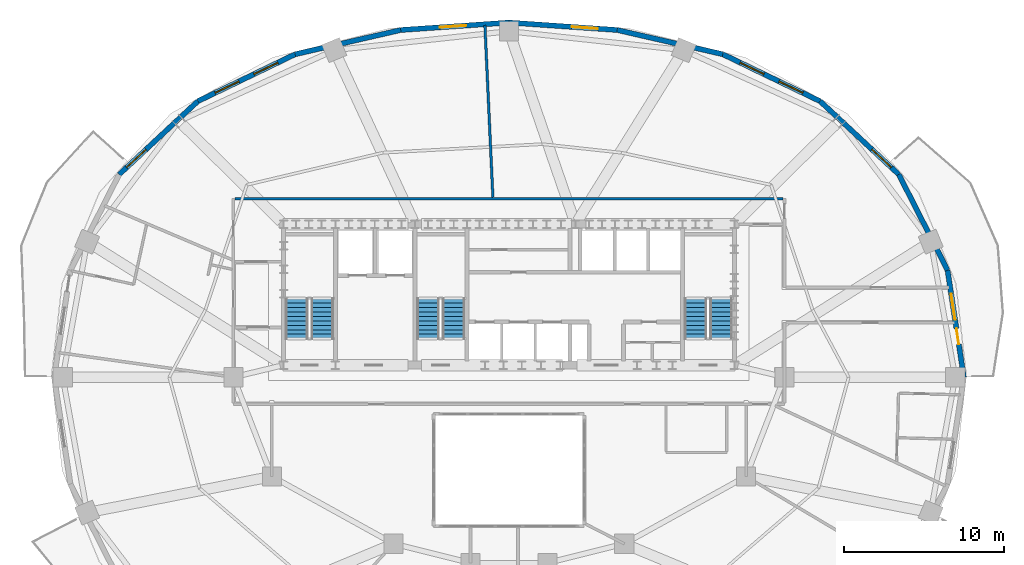
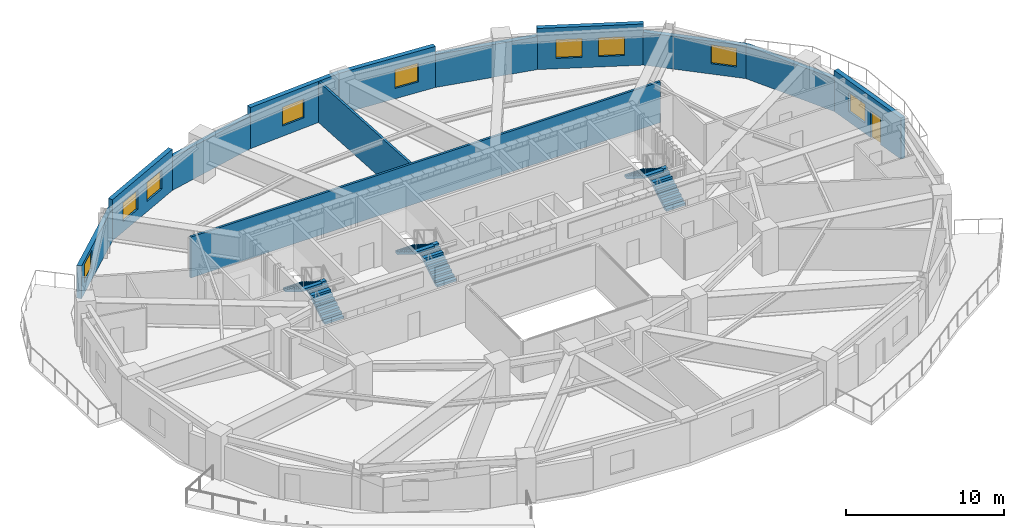
# One storey, part 9 of 13: 12 walls, 9 windows, 6 stair flights, 1 door, 10 openings, 3 elements without a shape of their own.
"""IFC4 building model written with IfcOpenShell, lengths in metres."""

from ifc_helpers import new_model, si_unit, direction, frame, frame_2d, origin, place, context, subcontext, project, spatial, polyline, rectangle, outline, extrude, material, layer, layer_set, type_object, element, fill, aggregate, save


model = new_model("IFC4")

# Units and contexts
model_context = context("Model", 3, precision=1e-05, world=origin(), true_north=direction((0.0, 1.0)))
body_context = subcontext(model_context, "Body", "Model", "MODEL_VIEW")
ifc_project = project(units=[si_unit("LENGTHUNIT", "METRE"), si_unit("AREAUNIT", "SQUARE_METRE"), si_unit("VOLUMEUNIT", "CUBIC_METRE"), si_unit("PLANEANGLEUNIT", "RADIAN"), si_unit("MASSUNIT", "GRAM", prefix="KILO")], contexts=[model_context])

# Site, building, storey
site_placement = place(None, origin())
site = spatial("IfcSite", under=ifc_project, at=site_placement, CompositionType="ELEMENT")
building_placement = place(site_placement, origin())
building = spatial("IfcBuilding", under=site, at=building_placement, Name="Haldorwick Loom Tower", CompositionType="ELEMENT")
storey_placement = place(building_placement, frame((0.0, 0.0, 127.699951171875)))
storey = spatial("IfcBuildingStorey", under=building, at=storey_placement, Name="L34", CompositionType="ELEMENT", Elevation=127.699951171875)

# Wall, openings, door, window
ifc_material_1 = material(Name="Pressed Clay Face Brick and Insulated Masonry Backup Assembly", Category="masonry")
ifc_layer_1 = layer(ifc_material_1, 0.320068359375, Name="Pressed Clay Face Brick and Insulated Masonry Backup Assembly", Category="masonry")
ifc_layer_set_1 = layer_set([ifc_layer_1], Name="Pressed Clay Face Brick and Insulated Masonry Backup Assembly")
wall_type_1 = type_object("IfcWallType", Name="ARC-WL-EXT320", PredefinedType="STANDARD", material=ifc_layer_set_1)
wall_1_placement = place(storey_placement, frame((64.397705078125, 26.0, 0.0), z_axis=(0.0, 0.0, 1.0), x_axis=(-0.150633288003, 0.988589708901, 0.0)))
wall_1 = element("IfcWall", 1, at=wall_1_placement, inside=storey, type_object=wall_type_1, Name="L34 Brick Pier and Spandrel Wall 1", PredefinedType="STANDARD", context=body_context, shape_type="SweptSolid", body=[
    extrude(rectangle(XDim=6.752197265625, YDim=0.320068359375, at=frame_2d((3.3759765625, 0.0))), origin(), (0.0, 0.0, 1.0), 3.170166015625),
])
opening_1_placement = place(wall_1_placement, frame((2.070556640625, 0.0, 0.0)))
opening_1 = element("IfcOpeningElement", 2, at=opening_1_placement, cuts=wall_1, Name="Opening D-BL10", PredefinedType="OPENING", context=body_context, shape_type="SweptSolid", body=[
    extrude(rectangle(XDim=1.0, YDim=2.0400390625, at=frame_2d((0.5, 1.02001953125))), frame((0.0, 0.169921875, 0.0), z_axis=(0.0, -1.0, 0.0), x_axis=(1.0, 0.0, 0.0)), (0.0, 0.0, 1.0), 0.340087890625),
])
opening_2_placement = place(wall_1_placement, frame((3.626708984375, 0.0, 0.800048828125)))
opening_2 = element("IfcOpeningElement", 3, at=opening_2_placement, cuts=wall_1, Name="Opening W-01B", PredefinedType="OPENING", context=body_context, shape_type="SweptSolid", body=[
    extrude(rectangle(XDim=1.64990234375, YDim=1.449951171875, at=frame_2d((0.824951171875, 0.72509765625))), frame((0.0, 0.169921875, 0.0), z_axis=(0.0, -1.0, 0.0), x_axis=(1.0, 0.0, 0.0)), (0.0, 0.0, 1.0), 0.340087890625),
])
ifc_material_2 = material(Name="Thermally Broken Anodized Aluminium Curtain Wall Framing", Category="aluminium")
door_type = type_object("IfcDoorType", Name="ARC-DR-BAL100", OperationType="NOTDEFINED", PredefinedType="DOOR", material=ifc_material_2)
door_placement = place(opening_1_placement, origin())
door = element("IfcDoor", 4, at=door_placement, inside=storey, type_object=door_type, Name="L34 Outdoor Terrace Door SLB-L34-BAL_ENE", OperationType="SINGLE_SWING_RIGHT", OverallHeight=2.0400390625, OverallWidth=1.0, PredefinedType="DOOR", context=body_context, shape_type="SweptSolid", body=[
    extrude(rectangle(XDim=1.0, YDim=2.0400390625, at=frame_2d((0.5, 1.02001953125))), frame((0.0, 0.02490234375, 0.0), z_axis=(0.0, -1.0, 0.0), x_axis=(1.0, 0.0, 0.0)), (0.0, 0.0, 1.0), 0.050048828125),
])
fill(opening_1, door)
ifc_material_3 = material(Name="Triple-Glazed Low-E Argon Insulated Glazing Unit", Category="glass")
window_type = type_object("IfcWindowType", Name="ARC-WIN-W165", PartitioningType="SINGLE_PANEL", PredefinedType="WINDOW", material=ifc_material_3)
window_1_placement = place(opening_2_placement, origin())
window_1 = element("IfcWindow", 5, at=window_1_placement, inside=storey, type_object=window_type, Name="L34 Deep-Set Zone 7A Window 1", OverallHeight=1.449951171875, OverallWidth=1.64990234375, PartitioningType="SINGLE_PANEL", PredefinedType="WINDOW", context=body_context, shape_type="SweptSolid", body=[
    extrude(rectangle(XDim=1.64990234375, YDim=1.449951171875, at=frame_2d((0.824951171875, 0.72509765625))), frame((0.0, 0.030029296875, 0.0), z_axis=(0.0, -1.0, 0.0), x_axis=(1.0, 0.0, 0.0)), (0.0, 0.0, 1.0), 0.06005859375),
])
fill(opening_2, window_1)

# Wall
wall_2_placement = place(storey_placement, frame((63.380615234375, 32.675048828125, 0.0), z_axis=(0.0, 0.0, 1.0), x_axis=(-0.453374078001, 0.89132033826, 0.0)))
element("IfcWall", 6, at=wall_2_placement, inside=storey, type_object=wall_type_1, Name="L34 Brick Pier and Spandrel Wall 2", PredefinedType="STANDARD", context=body_context, shape_type="SweptSolid", body=[
    extrude(rectangle(XDim=6.709716796875, YDim=0.320068359375, at=frame_2d((3.35498046875, 0.0))), origin(), (0.0, 0.0, 1.0), 2.529052734375),
])

# Wall, opening, window
wall_3_placement = place(storey_placement, frame((60.338623046875, 38.655517578125, 0.0), z_axis=(0.0, 0.0, 1.0), x_axis=(-0.732137360086, 0.681157020052, 0.0)))
wall_3 = element("IfcWall", 7, at=wall_3_placement, inside=storey, type_object=wall_type_1, Name="L34 Brick Pier and Spandrel Wall 3", PredefinedType="STANDARD", context=body_context, shape_type="SweptSolid", body=[
    extrude(rectangle(XDim=6.709228515625, YDim=0.320068359375, at=frame_2d((3.3544921875, 0.0))), origin(), (0.0, 0.0, 1.0), 2.529052734375),
])
opening_3_placement = place(wall_3_placement, frame((0.639892578125, 0.0, 0.800048828125)))
opening_3 = element("IfcOpeningElement", 8, at=opening_3_placement, cuts=wall_3, Name="Opening W-01B", PredefinedType="OPENING", context=body_context, shape_type="SweptSolid", body=[
    extrude(rectangle(XDim=1.64990234375, YDim=1.449951171875, at=frame_2d((0.824951171875, 0.72509765625))), frame((0.0, 0.169921875, 0.0), z_axis=(0.0, -1.0, 0.0), x_axis=(1.0, 0.0, 0.0)), (0.0, 0.0, 1.0), 0.340087890625),
])
window_2_placement = place(opening_3_placement, origin())
window_2 = element("IfcWindow", 9, at=window_2_placement, inside=storey, type_object=window_type, Name="L34 Deep-Set Zone 7A Window 3", OverallHeight=1.449951171875, OverallWidth=1.64990234375, PartitioningType="SINGLE_PANEL", PredefinedType="WINDOW", context=body_context, shape_type="SweptSolid", body=[
    extrude(rectangle(XDim=1.64990234375, YDim=1.449951171875, at=frame_2d((0.824951171875, 0.72509765625))), frame((0.0, 0.030029296875, 0.0), z_axis=(0.0, -1.0, 0.0), x_axis=(1.0, 0.0, 0.0)), (0.0, 0.0, 1.0), 0.06005859375),
])
fill(opening_3, window_2)

# Wall, openings, windows
wall_4_placement = place(storey_placement, frame((55.426513671875, 43.2255859375, 0.0), z_axis=(0.0, 0.0, 1.0), x_axis=(-0.900510094661, 0.434835106004, 0.0)))
wall_4 = element("IfcWall", 10, at=wall_4_placement, inside=storey, type_object=wall_type_1, Name="L34 Brick Pier and Spandrel Wall 4", PredefinedType="STANDARD", context=body_context, shape_type="SweptSolid", body=[
    extrude(rectangle(XDim=6.744873046875, YDim=0.320068359375, at=frame_2d((3.37255859375, 0.0))), origin(), (0.0, 0.0, 1.0), 3.170166015625),
])
opening_4_placement = place(wall_4_placement, frame((1.198486328125, 0.0, 0.800048828125)))
opening_4 = element("IfcOpeningElement", 11, at=opening_4_placement, cuts=wall_4, Name="Opening W-01B", PredefinedType="OPENING", context=body_context, shape_type="SweptSolid", body=[
    extrude(rectangle(XDim=1.64990234375, YDim=1.449951171875, at=frame_2d((0.824951171875, 0.72509765625))), frame((0.0, 0.169921875, 0.0), z_axis=(0.0, -1.0, 0.0), x_axis=(1.0, 0.0, 0.0)), (0.0, 0.0, 1.0), 0.340087890625),
])
opening_5_placement = place(wall_4_placement, frame((3.896484375, 0.0, 0.800048828125)))
opening_5 = element("IfcOpeningElement", 12, at=opening_5_placement, cuts=wall_4, Name="Opening W-01B", PredefinedType="OPENING", context=body_context, shape_type="SweptSolid", body=[
    extrude(rectangle(XDim=1.64990234375, YDim=1.449951171875, at=frame_2d((0.824951171875, 0.72509765625))), frame((0.0, 0.169921875, 0.0), z_axis=(0.0, -1.0, 0.0), x_axis=(1.0, 0.0, 0.0)), (0.0, 0.0, 1.0), 0.340087890625),
])
window_3_placement = place(opening_4_placement, origin())
window_3 = element("IfcWindow", 13, at=window_3_placement, inside=storey, type_object=window_type, Name="L34 Deep-Set Zone 7A Window 4", OverallHeight=1.449951171875, OverallWidth=1.64990234375, PartitioningType="SINGLE_PANEL", PredefinedType="WINDOW", context=body_context, shape_type="SweptSolid", body=[
    extrude(rectangle(XDim=1.64990234375, YDim=1.449951171875, at=frame_2d((0.824951171875, 0.72509765625))), frame((0.0, 0.030029296875, 0.0), z_axis=(0.0, -1.0, 0.0), x_axis=(1.0, 0.0, 0.0)), (0.0, 0.0, 1.0), 0.06005859375),
])
fill(opening_4, window_3)
window_4_placement = place(opening_5_placement, origin())
window_4 = element("IfcWindow", 14, at=window_4_placement, inside=storey, type_object=window_type, Name="L34 Deep-Set Zone 7A Window 4", OverallHeight=1.449951171875, OverallWidth=1.64990234375, PartitioningType="SINGLE_PANEL", PredefinedType="WINDOW", context=body_context, shape_type="SweptSolid", body=[
    extrude(rectangle(XDim=1.64990234375, YDim=1.449951171875, at=frame_2d((0.824951171875, 0.72509765625))), frame((0.0, 0.030029296875, 0.0), z_axis=(0.0, -1.0, 0.0), x_axis=(1.0, 0.0, 0.0)), (0.0, 0.0, 1.0), 0.06005859375),
])
fill(opening_5, window_4)

# Wall
wall_5_placement = place(storey_placement, frame((49.352783203125, 46.158447265625, 0.0), z_axis=(0.0, 0.0, 1.0), x_axis=(-0.974584177714, 0.224021607329, 0.0)))
element("IfcWall", 15, at=wall_5_placement, inside=storey, type_object=wall_type_1, Name="L34 Brick Pier and Spandrel Wall 5", PredefinedType="STANDARD", context=body_context, shape_type="SweptSolid", body=[
    extrude(rectangle(XDim=6.767822265625, YDim=0.320068359375, at=frame_2d((3.3837890625, 0.0))), origin(), (0.0, 0.0, 1.0), 2.529052734375),
])

# Wall, opening, window
wall_6_placement = place(storey_placement, frame((42.757080078125, 47.674560546875, 0.0), z_axis=(0.0, 0.0, 1.0), x_axis=(-0.997651949344, 0.068487867318, 0.0)))
wall_6 = element("IfcWall", 16, at=wall_6_placement, inside=storey, type_object=wall_type_1, Name="L34 Brick Pier and Spandrel Wall 6", PredefinedType="STANDARD", context=body_context, shape_type="SweptSolid", body=[
    extrude(rectangle(XDim=6.77294921875, YDim=0.320068359375, at=frame_2d((3.386474609375, 0.0))), origin(), (0.0, 0.0, 1.0), 3.170166015625),
])
opening_6_placement = place(wall_6_placement, frame((1.206787109375, 0.0, 0.800048828125)))
opening_6 = element("IfcOpeningElement", 17, at=opening_6_placement, cuts=wall_6, Name="Opening W-01B", PredefinedType="OPENING", context=body_context, shape_type="SweptSolid", body=[
    extrude(rectangle(XDim=1.64990234375, YDim=1.449951171875, at=frame_2d((0.824951171875, 0.72509765625))), frame((0.0, 0.169921875, 0.0), z_axis=(0.0, -1.0, 0.0), x_axis=(1.0, 0.0, 0.0)), (0.0, 0.0, 1.0), 0.340087890625),
])
window_5_placement = place(opening_6_placement, origin())
window_5 = element("IfcWindow", 18, at=window_5_placement, inside=storey, type_object=window_type, Name="L34 Deep-Set Zone 7A Window 6", OverallHeight=1.449951171875, OverallWidth=1.64990234375, PartitioningType="SINGLE_PANEL", PredefinedType="WINDOW", context=body_context, shape_type="SweptSolid", body=[
    extrude(rectangle(XDim=1.64990234375, YDim=1.449951171875, at=frame_2d((0.824951171875, 0.72509765625))), frame((0.0, 0.030029296875, 0.0), z_axis=(0.0, -1.0, 0.0), x_axis=(1.0, 0.0, 0.0)), (0.0, 0.0, 1.0), 0.06005859375),
])
fill(opening_6, window_5)

wall_7_placement = place(storey_placement, frame((36.0, 48.138427734375, 0.0), z_axis=(0.0, 0.0, 1.0), x_axis=(-0.997651949344, -0.068487867318, 0.0)))
wall_7 = element("IfcWall", 19, at=wall_7_placement, inside=storey, type_object=wall_type_1, Name="L34 Brick Pier and Spandrel Wall 7", PredefinedType="STANDARD", context=body_context, shape_type="SweptSolid", body=[
    extrude(rectangle(XDim=6.77294921875, YDim=0.320068359375, at=frame_2d((3.386474609375, 0.0))), origin(), (0.0, 0.0, 1.0), 3.170166015625),
])
opening_7_placement = place(wall_7_placement, frame((2.681640625, 0.0, 0.800048828125)))
opening_7 = element("IfcOpeningElement", 20, at=opening_7_placement, cuts=wall_7, Name="Opening W-01B", PredefinedType="OPENING", context=body_context, shape_type="SweptSolid", body=[
    extrude(rectangle(XDim=1.64990234375, YDim=1.449951171875, at=frame_2d((0.824951171875, 0.72509765625))), frame((0.0, 0.169921875, 0.0), z_axis=(0.0, -1.0, 0.0), x_axis=(1.0, 0.0, 0.0)), (0.0, 0.0, 1.0), 0.340087890625),
])
window_6_placement = place(opening_7_placement, origin())
window_6 = element("IfcWindow", 21, at=window_6_placement, inside=storey, type_object=window_type, Name="L34 Deep-Set Zone 7A Window 7", OverallHeight=1.449951171875, OverallWidth=1.64990234375, PartitioningType="SINGLE_PANEL", PredefinedType="WINDOW", context=body_context, shape_type="SweptSolid", body=[
    extrude(rectangle(XDim=1.64990234375, YDim=1.449951171875, at=frame_2d((0.824951171875, 0.72509765625))), frame((0.0, 0.030029296875, 0.0), z_axis=(0.0, -1.0, 0.0), x_axis=(1.0, 0.0, 0.0)), (0.0, 0.0, 1.0), 0.06005859375),
])
fill(opening_7, window_6)

# Wall
wall_8_placement = place(storey_placement, frame((29.242919921875, 47.674560546875, 0.0), z_axis=(0.0, 0.0, 1.0), x_axis=(-0.974584177714, -0.224021607329, 0.0)))
element("IfcWall", 22, at=wall_8_placement, inside=storey, type_object=wall_type_1, Name="L34 Brick Pier and Spandrel Wall 8", PredefinedType="STANDARD", context=body_context, shape_type="SweptSolid", body=[
    extrude(rectangle(XDim=6.767822265625, YDim=0.320068359375, at=frame_2d((3.3837890625, 0.0))), origin(), (0.0, 0.0, 1.0), 2.529052734375),
])

# Wall, openings, windows
wall_9_placement = place(storey_placement, frame((22.647216796875, 46.158447265625, 0.0), z_axis=(0.0, 0.0, 1.0), x_axis=(-0.900510094661, -0.434835106004, 0.0)))
wall_9 = element("IfcWall", 23, at=wall_9_placement, inside=storey, type_object=wall_type_1, Name="L34 Brick Pier and Spandrel Wall 9", PredefinedType="STANDARD", context=body_context, shape_type="SweptSolid", body=[
    extrude(rectangle(XDim=6.744873046875, YDim=0.320068359375, at=frame_2d((3.37255859375, 0.0))), origin(), (0.0, 0.0, 1.0), 3.170166015625),
])
opening_8_placement = place(wall_9_placement, frame((1.198486328125, 0.0, 0.800048828125)))
opening_8 = element("IfcOpeningElement", 24, at=opening_8_placement, cuts=wall_9, Name="Opening W-01B", PredefinedType="OPENING", context=body_context, shape_type="SweptSolid", body=[
    extrude(rectangle(XDim=1.64990234375, YDim=1.449951171875, at=frame_2d((0.824951171875, 0.72509765625))), frame((0.0, 0.169921875, 0.0), z_axis=(0.0, -1.0, 0.0), x_axis=(1.0, 0.0, 0.0)), (0.0, 0.0, 1.0), 0.340087890625),
])
opening_9_placement = place(wall_9_placement, frame((3.896484375, 0.0, 0.800048828125)))
opening_9 = element("IfcOpeningElement", 25, at=opening_9_placement, cuts=wall_9, Name="Opening W-01B", PredefinedType="OPENING", context=body_context, shape_type="SweptSolid", body=[
    extrude(rectangle(XDim=1.64990234375, YDim=1.449951171875, at=frame_2d((0.824951171875, 0.72509765625))), frame((0.0, 0.169921875, 0.0), z_axis=(0.0, -1.0, 0.0), x_axis=(1.0, 0.0, 0.0)), (0.0, 0.0, 1.0), 0.340087890625),
])
window_7_placement = place(opening_8_placement, origin())
window_7 = element("IfcWindow", 26, at=window_7_placement, inside=storey, type_object=window_type, Name="L34 Deep-Set Zone 7A Window 9", OverallHeight=1.449951171875, OverallWidth=1.64990234375, PartitioningType="SINGLE_PANEL", PredefinedType="WINDOW", context=body_context, shape_type="SweptSolid", body=[
    extrude(rectangle(XDim=1.64990234375, YDim=1.449951171875, at=frame_2d((0.824951171875, 0.72509765625))), frame((0.0, 0.030029296875, 0.0), z_axis=(0.0, -1.0, 0.0), x_axis=(1.0, 0.0, 0.0)), (0.0, 0.0, 1.0), 0.06005859375),
])
fill(opening_8, window_7)
window_8_placement = place(opening_9_placement, origin())
window_8 = element("IfcWindow", 27, at=window_8_placement, inside=storey, type_object=window_type, Name="L34 Deep-Set Zone 7A Window 9", OverallHeight=1.449951171875, OverallWidth=1.64990234375, PartitioningType="SINGLE_PANEL", PredefinedType="WINDOW", context=body_context, shape_type="SweptSolid", body=[
    extrude(rectangle(XDim=1.64990234375, YDim=1.449951171875, at=frame_2d((0.824951171875, 0.72509765625))), frame((0.0, 0.030029296875, 0.0), z_axis=(0.0, -1.0, 0.0), x_axis=(1.0, 0.0, 0.0)), (0.0, 0.0, 1.0), 0.06005859375),
])
fill(opening_9, window_8)

# Wall, opening, window
wall_10_placement = place(storey_placement, frame((16.573486328125, 43.2255859375, 0.0), z_axis=(0.0, 0.0, 1.0), x_axis=(-0.732137360086, -0.681157020052, 0.0)))
wall_10 = element("IfcWall", 28, at=wall_10_placement, inside=storey, type_object=wall_type_1, Name="L34 Brick Pier and Spandrel Wall 10", PredefinedType="STANDARD", context=body_context, shape_type="SweptSolid", body=[
    extrude(rectangle(XDim=6.709228515625, YDim=0.320068359375, at=frame_2d((3.3544921875, 0.0))), origin(), (0.0, 0.0, 1.0), 2.529052734375),
])
opening_10_placement = place(wall_10_placement, frame((4.41943359375, 0.0, 0.800048828125)))
opening_10 = element("IfcOpeningElement", 29, at=opening_10_placement, cuts=wall_10, Name="Opening W-01B", PredefinedType="OPENING", context=body_context, shape_type="SweptSolid", body=[
    extrude(rectangle(XDim=1.64990234375, YDim=1.449951171875, at=frame_2d((0.824951171875, 0.72509765625))), frame((0.0, 0.169921875, 0.0), z_axis=(0.0, -1.0, 0.0), x_axis=(1.0, 0.0, 0.0)), (0.0, 0.0, 1.0), 0.340087890625),
])
window_9_placement = place(opening_10_placement, origin())
window_9 = element("IfcWindow", 30, at=window_9_placement, inside=storey, type_object=window_type, Name="L34 Deep-Set Zone 7A Window 10", OverallHeight=1.449951171875, OverallWidth=1.64990234375, PartitioningType="SINGLE_PANEL", PredefinedType="WINDOW", context=body_context, shape_type="SweptSolid", body=[
    extrude(rectangle(XDim=1.64990234375, YDim=1.449951171875, at=frame_2d((0.824951171875, 0.72509765625))), frame((0.0, 0.030029296875, 0.0), z_axis=(0.0, -1.0, 0.0), x_axis=(1.0, 0.0, 0.0)), (0.0, 0.0, 1.0), 0.06005859375),
])
fill(opening_10, window_9)

# Walls
ifc_material_4 = material(Name="Fire-Rated Type X Gypsum Stud Assembly EI 60")
ifc_layer_2 = layer(ifc_material_4, 0.159912109375, Name="Fire-Rated Type X Gypsum Stud Assembly EI 60")
ifc_layer_set_2 = layer_set([ifc_layer_2], Name="Fire-Rated Type X Gypsum Stud Assembly EI 60")
wall_type_2 = type_object("IfcWallType", Name="ARC-WL-FIRE160", PredefinedType="PARTITIONING", material=ifc_layer_set_2)
wall_11_placement = place(storey_placement, frame((18.883056640625, 37.14990234375, 0.0), z_axis=(0.0, 0.0, 1.0), x_axis=(1.0, 0.0, 0.0)))
element("IfcWall", 31, at=wall_11_placement, inside=storey, type_object=wall_type_2, Name="L34 Residential Fire Partition L34-CR-N0", PredefinedType="PARTITIONING", context=body_context, shape_type="SweptSolid", body=[
    extrude(rectangle(XDim=34.23388671875, YDim=0.159912109375, at=frame_2d((17.116943359375, 0.0))), origin(), (0.0, 0.0, 1.0), 3.155029296875),
])
wall_12_placement = place(storey_placement, frame((34.99609375, 37.23291015625, 0.0), z_axis=(0.0, 0.0, 1.0), x_axis=(-0.046357565748, 0.99892491014, 0.0)))
element("IfcWall", 32, at=wall_12_placement, inside=storey, type_object=wall_type_2, Name="L34 Residential Fire Partition L34-UPN-11", PredefinedType="PARTITIONING", context=body_context, shape_type="SweptSolid", body=[
    extrude(rectangle(XDim=10.748779296875, YDim=0.159912109375, at=frame_2d((5.37451171875, 0.0))), origin(), (0.0, 0.0, 1.0), 3.155029296875),
])

# Stair, stair flights
ifc_material_5 = material(Name="Concrete C40 (40 MPa)", Category="concrete")
stair_type = type_object("IfcStairType", Name="STR-STR-CORE", PredefinedType="HALF_TURN_STAIR", material=ifc_material_5)
stair_1_placement = place(storey_placement, origin())
stair_1 = element("IfcStair", 33, at=stair_1_placement, inside=storey, type_object=stair_type, Name="L34 Exit Stair ST-01", PredefinedType="HALF_TURN_STAIR")
stair_flight_type = type_object("IfcStairFlightType", Name="STR-STF-1250", PredefinedType="STRAIGHT", material=ifc_material_5)
stair_flight_1_placement = place(storey_placement, frame((24.35009765625, 28.39990234375, 0.0), z_axis=(0.0, 0.0, 1.0), x_axis=(0.0, 1.0, 0.0)))
stair_flight_1 = element("IfcStairFlight", 34, at=stair_flight_1_placement, type_object=stair_flight_type, Name="ST-01 flight 1", NumberOfRisers=10, NumberOfTreads=9, PredefinedType="STRAIGHT", RiserHeight=0.1725, TreadLength=0.28, context=body_context, shape_type="SweptSolid", body=[
    extrude(outline(polyline([(0.0, 0.0), (0.0, 0.172607421875), (0.280029296875, 0.172607421875), (0.280029296875, 0.344970703125), (0.56005859375, 0.344970703125), (0.56005859375, 0.517578125), (0.840087890625, 0.517578125), (0.840087890625, 0.68994140625), (1.1201171875, 0.68994140625), (1.1201171875, 0.862548828125), (1.39990234375, 0.862548828125), (1.39990234375, 1.034912109375), (1.679931640625, 1.034912109375), (1.679931640625, 1.20751953125), (1.9599609375, 1.20751953125), (1.9599609375, 1.3798828125), (2.239990234375, 1.3798828125), (2.239990234375, 1.552490234375), (2.52001953125, 1.552490234375), (2.52001953125, 1.72509765625), (2.52001953125, 1.37646484375), (0.285888671875, 0.0), (0.0, 0.0)])), frame((0.0, 0.699951171875, 0.0), z_axis=(0.0, -1.0, 0.0), x_axis=(1.0, 0.0, 0.0)), (0.0, 0.0, 1.0), 1.39990234375),
])
stair_flight_2_placement = place(storey_placement, frame((22.75, 30.919921875, 1.72509765625), z_axis=(0.0, 0.0, 1.0), x_axis=(0.0, -1.0, 0.0)))
stair_flight_2 = element("IfcStairFlight", 35, at=stair_flight_2_placement, type_object=stair_flight_type, Name="ST-01 flight 2", NumberOfRisers=10, NumberOfTreads=9, PredefinedType="STRAIGHT", RiserHeight=0.1725, TreadLength=0.28, context=body_context, shape_type="SweptSolid", body=[
    extrude(outline(polyline([(0.0, 0.0), (0.0, 0.172607421875), (0.280029296875, 0.172607421875), (0.280029296875, 0.344970703125), (0.56005859375, 0.344970703125), (0.56005859375, 0.517578125), (0.840087890625, 0.517578125), (0.840087890625, 0.68994140625), (1.1201171875, 0.68994140625), (1.1201171875, 0.862548828125), (1.39990234375, 0.862548828125), (1.39990234375, 1.034912109375), (1.679931640625, 1.034912109375), (1.679931640625, 1.20751953125), (1.9599609375, 1.20751953125), (1.9599609375, 1.3798828125), (2.239990234375, 1.3798828125), (2.239990234375, 1.552490234375), (2.52001953125, 1.552490234375), (2.52001953125, 1.72509765625), (2.52001953125, 1.37646484375), (0.285888671875, 0.0), (0.0, 0.0)])), frame((0.0, 0.699951171875, 0.0), z_axis=(0.0, -1.0, 0.0), x_axis=(1.0, 0.0, 0.0)), (0.0, 0.0, 1.0), 1.39990234375),
])
aggregate(stair_1, [stair_flight_1, stair_flight_2])

stair_2_placement = place(storey_placement, origin())
stair_2 = element("IfcStair", 36, at=stair_2_placement, inside=storey, type_object=stair_type, Name="L34 Exit Stair ST-02", PredefinedType="HALF_TURN_STAIR")
stair_flight_3_placement = place(storey_placement, frame((49.25, 28.39990234375, 0.0), z_axis=(0.0, 0.0, 1.0), x_axis=(0.0, 1.0, 0.0)))
stair_flight_3 = element("IfcStairFlight", 37, at=stair_flight_3_placement, type_object=stair_flight_type, Name="ST-02 flight 1", NumberOfRisers=10, NumberOfTreads=9, PredefinedType="STRAIGHT", RiserHeight=0.1725, TreadLength=0.28, context=body_context, shape_type="SweptSolid", body=[
    extrude(outline(polyline([(0.0, 0.0), (0.0, 0.172607421875), (0.280029296875, 0.172607421875), (0.280029296875, 0.344970703125), (0.56005859375, 0.344970703125), (0.56005859375, 0.517578125), (0.840087890625, 0.517578125), (0.840087890625, 0.68994140625), (1.1201171875, 0.68994140625), (1.1201171875, 0.862548828125), (1.39990234375, 0.862548828125), (1.39990234375, 1.034912109375), (1.679931640625, 1.034912109375), (1.679931640625, 1.20751953125), (1.9599609375, 1.20751953125), (1.9599609375, 1.3798828125), (2.239990234375, 1.3798828125), (2.239990234375, 1.552490234375), (2.52001953125, 1.552490234375), (2.52001953125, 1.72509765625), (2.52001953125, 1.37646484375), (0.285888671875, 0.0), (0.0, 0.0)])), frame((0.0, 0.699951171875, 0.0), z_axis=(0.0, -1.0, 0.0), x_axis=(1.0, 0.0, 0.0)), (0.0, 0.0, 1.0), 1.39990234375),
])
stair_flight_4_placement = place(storey_placement, frame((47.64990234375, 30.919921875, 1.72509765625), z_axis=(0.0, 0.0, 1.0), x_axis=(0.0, -1.0, 0.0)))
stair_flight_4 = element("IfcStairFlight", 38, at=stair_flight_4_placement, type_object=stair_flight_type, Name="ST-02 flight 2", NumberOfRisers=10, NumberOfTreads=9, PredefinedType="STRAIGHT", RiserHeight=0.1725, TreadLength=0.28, context=body_context, shape_type="SweptSolid", body=[
    extrude(outline(polyline([(0.0, 0.0), (0.0, 0.172607421875), (0.280029296875, 0.172607421875), (0.280029296875, 0.344970703125), (0.56005859375, 0.344970703125), (0.56005859375, 0.517578125), (0.840087890625, 0.517578125), (0.840087890625, 0.68994140625), (1.1201171875, 0.68994140625), (1.1201171875, 0.862548828125), (1.39990234375, 0.862548828125), (1.39990234375, 1.034912109375), (1.679931640625, 1.034912109375), (1.679931640625, 1.20751953125), (1.9599609375, 1.20751953125), (1.9599609375, 1.3798828125), (2.239990234375, 1.3798828125), (2.239990234375, 1.552490234375), (2.52001953125, 1.552490234375), (2.52001953125, 1.72509765625), (2.52001953125, 1.37646484375), (0.285888671875, 0.0), (0.0, 0.0)])), frame((0.0, 0.699951171875, 0.0), z_axis=(0.0, -1.0, 0.0), x_axis=(1.0, 0.0, 0.0)), (0.0, 0.0, 1.0), 1.39990234375),
])
aggregate(stair_2, [stair_flight_3, stair_flight_4])

stair_3_placement = place(storey_placement, origin())
stair_3 = element("IfcStair", 39, at=stair_3_placement, inside=storey, type_object=stair_type, Name="L34 Exit Stair ST-03", PredefinedType="HALF_TURN_STAIR")
stair_flight_5_placement = place(storey_placement, frame((32.550048828125, 28.39990234375, 0.0), z_axis=(0.0, 0.0, 1.0), x_axis=(0.0, 1.0, 0.0)))
stair_flight_5 = element("IfcStairFlight", 40, at=stair_flight_5_placement, type_object=stair_flight_type, Name="ST-03 flight 1", NumberOfRisers=10, NumberOfTreads=9, PredefinedType="STRAIGHT", RiserHeight=0.1725, TreadLength=0.28, context=body_context, shape_type="SweptSolid", body=[
    extrude(outline(polyline([(0.0, 0.0), (0.0, 0.172607421875), (0.280029296875, 0.172607421875), (0.280029296875, 0.344970703125), (0.56005859375, 0.344970703125), (0.56005859375, 0.517578125), (0.840087890625, 0.517578125), (0.840087890625, 0.68994140625), (1.1201171875, 0.68994140625), (1.1201171875, 0.862548828125), (1.39990234375, 0.862548828125), (1.39990234375, 1.034912109375), (1.679931640625, 1.034912109375), (1.679931640625, 1.20751953125), (1.9599609375, 1.20751953125), (1.9599609375, 1.3798828125), (2.239990234375, 1.3798828125), (2.239990234375, 1.552490234375), (2.52001953125, 1.552490234375), (2.52001953125, 1.72509765625), (2.52001953125, 1.37646484375), (0.285888671875, 0.0), (0.0, 0.0)])), frame((0.0, 0.699951171875, 0.0), z_axis=(0.0, -1.0, 0.0), x_axis=(1.0, 0.0, 0.0)), (0.0, 0.0, 1.0), 1.39990234375),
])
stair_flight_6_placement = place(storey_placement, frame((30.949951171875, 30.919921875, 1.72509765625), z_axis=(0.0, 0.0, 1.0), x_axis=(0.0, -1.0, 0.0)))
stair_flight_6 = element("IfcStairFlight", 41, at=stair_flight_6_placement, type_object=stair_flight_type, Name="ST-03 flight 2", NumberOfRisers=10, NumberOfTreads=9, PredefinedType="STRAIGHT", RiserHeight=0.1725, TreadLength=0.28, context=body_context, shape_type="SweptSolid", body=[
    extrude(outline(polyline([(0.0, 0.0), (0.0, 0.172607421875), (0.280029296875, 0.172607421875), (0.280029296875, 0.344970703125), (0.56005859375, 0.344970703125), (0.56005859375, 0.517578125), (0.840087890625, 0.517578125), (0.840087890625, 0.68994140625), (1.1201171875, 0.68994140625), (1.1201171875, 0.862548828125), (1.39990234375, 0.862548828125), (1.39990234375, 1.034912109375), (1.679931640625, 1.034912109375), (1.679931640625, 1.20751953125), (1.9599609375, 1.20751953125), (1.9599609375, 1.3798828125), (2.239990234375, 1.3798828125), (2.239990234375, 1.552490234375), (2.52001953125, 1.552490234375), (2.52001953125, 1.72509765625), (2.52001953125, 1.37646484375), (0.285888671875, 0.0), (0.0, 0.0)])), frame((0.0, 0.699951171875, 0.0), z_axis=(0.0, -1.0, 0.0), x_axis=(1.0, 0.0, 0.0)), (0.0, 0.0, 1.0), 1.39990234375),
])
aggregate(stair_3, [stair_flight_5, stair_flight_6])

save(model, "model.ifc")
